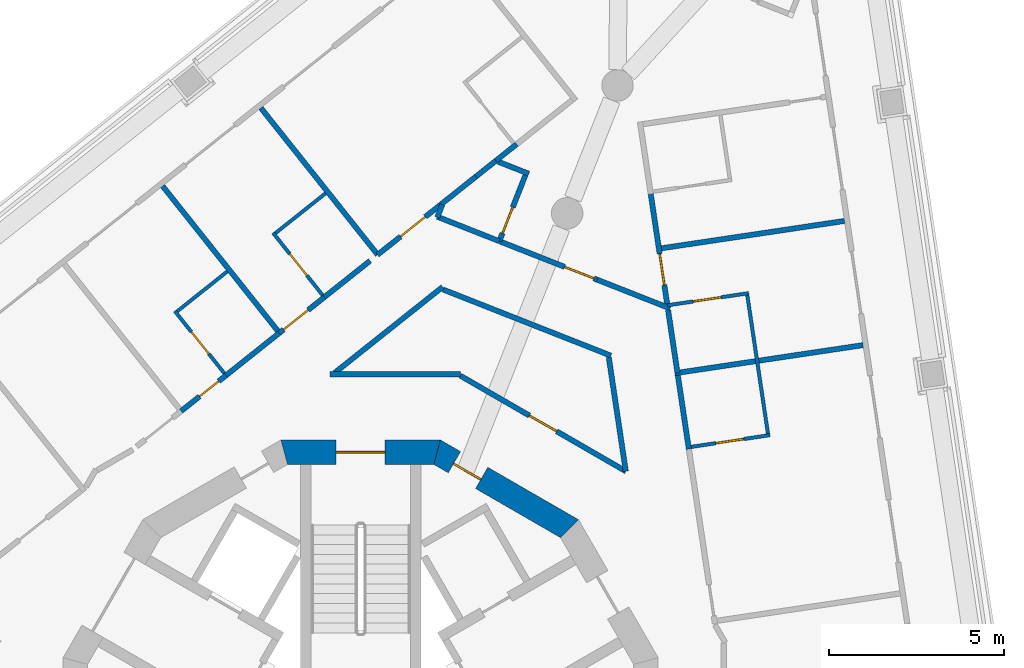
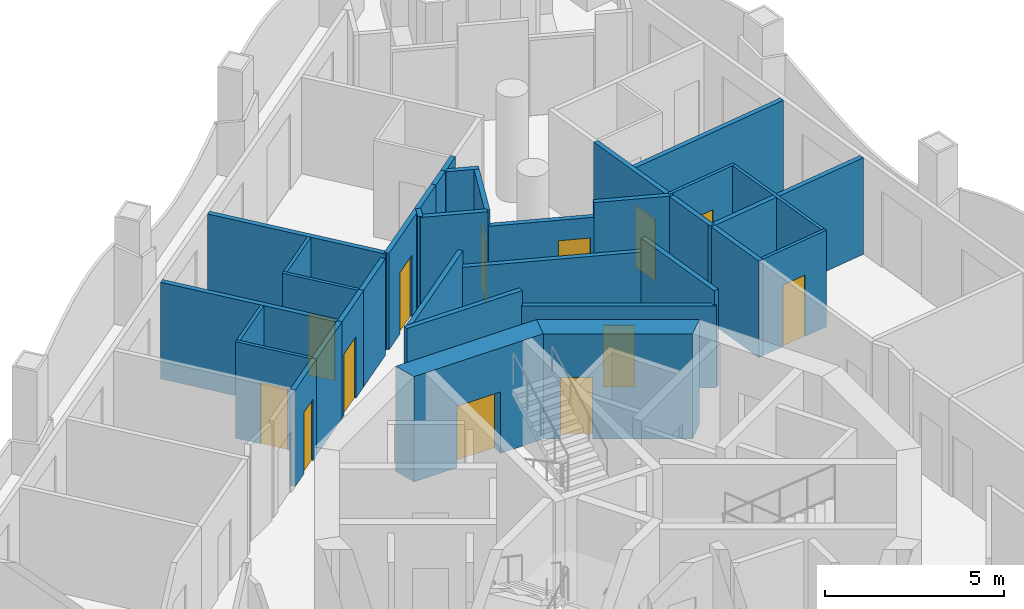
# One storey, part 8 of 16: 34 walls, 13 doors, 13 openings.
"""IFC4 building model written with IfcOpenShell, lengths in metres."""

from ifc_helpers import new_model, si_unit, direction, frame, frame_2d, origin, place, context, subcontext, project, spatial, polyline, rectangle, outline, extrude, material, layer, layer_set, type_object, element, fill, save


model = new_model("IFC4")

# Units and contexts
model_context = context("Model", 3, precision=1e-05, world=origin(), true_north=direction((0.0, 1.0)))
body_context = subcontext(model_context, "Body", "Model", "MODEL_VIEW")
ifc_project = project(units=[si_unit("LENGTHUNIT", "METRE"), si_unit("AREAUNIT", "SQUARE_METRE"), si_unit("VOLUMEUNIT", "CUBIC_METRE"), si_unit("PLANEANGLEUNIT", "RADIAN"), si_unit("MASSUNIT", "GRAM", prefix="KILO")], contexts=[model_context])

# Site, building, storey
site_placement = place(None, origin())
site = spatial("IfcSite", under=ifc_project, at=site_placement, CompositionType="ELEMENT")
building_placement = place(site_placement, origin())
building = spatial("IfcBuilding", under=site, at=building_placement, Name="Trine Commons Tower", CompositionType="ELEMENT")
storey_placement = place(building_placement, frame((0.0, 0.0, 201.60009765625)))
storey = spatial("IfcBuildingStorey", under=building, at=storey_placement, Name="L52", CompositionType="ELEMENT", Elevation=201.60009765625)

# Wall, opening, door
ifc_material_1 = material(Name="Concrete C60/75", Category="concrete")
ifc_layer_1 = layer(ifc_material_1, 0.699951171875)
ifc_layer_set_1 = layer_set([ifc_layer_1], Name="Concrete C60/75")
wall_type_1 = type_object("IfcWallType", Name="RC shear wall 700 mm, C60/75", PredefinedType="SHEAR", material=ifc_layer_set_1)
wall_1_placement = place(storey_placement, frame((86.047607421875, 68.41943359375, 0.0), z_axis=(0.0, 0.0, 1.0), x_axis=(-0.866034756103, 0.499983800959, 0.0)))
wall_1 = element("IfcWall", 1, at=wall_1_placement, inside=storey, type_object=wall_type_1, Name="Core wall CWF-03 L52", PredefinedType="SHEAR", context=body_context, shape_type="SweptSolid", body=[
    extrude(outline(polyline([(0.0, -0.35009765625), (4.55517578125, -0.35009765625), (4.36767578125, 0.35009765625), (0.1875, 0.35009765625), (0.0, -0.35009765625)])), origin(), (0.0, 0.0, 1.0), 3.599853515625),
])
opening_1_placement = place(wall_1_placement, frame((2.990966796875, 0.0, 0.0)))
opening_1 = element("IfcOpeningElement", 2, at=opening_1_placement, cuts=wall_1, Name="Opening K16.12", PredefinedType="OPENING", context=body_context, shape_type="SweptSolid", body=[
    extrude(rectangle(XDim=0.89990234375, YDim=2.10009765625, at=frame_2d((0.449951171875, 1.050048828125))), frame((0.0, 0.35986328125, 0.0), z_axis=(0.0, -1.0, 0.0), x_axis=(1.0, 0.0, 0.0)), (0.0, 0.0, 1.0), 0.719970703125),
])
ifc_material_2 = material(Name="Steel door leaf, fire-rated", Category="steel")
door_type_1 = type_object("IfcDoorType", Name="Core room door, single leaf 900 x 2100, FD30S", OperationType="SINGLE_SWING_LEFT", PredefinedType="DOOR", material=ifc_material_2)
door_1_placement = place(opening_1_placement, origin())
door_1 = element("IfcDoor", 3, at=door_1_placement, inside=storey, type_object=door_type_1, Name="Door to Core WC L52", OperationType="SINGLE_SWING_RIGHT", OverallHeight=2.10009765625, OverallWidth=0.89990234375, PredefinedType="DOOR", context=body_context, shape_type="SweptSolid", body=[
    extrude(rectangle(XDim=0.89990234375, YDim=2.10009765625, at=frame_2d((0.449951171875, 1.050048828125))), frame((0.0, 0.0751953125, 0.0), z_axis=(0.0, -1.0, 0.0), x_axis=(1.0, 0.0, 0.0)), (0.0, 0.0, 1.0), 0.050048828125),
])
fill(opening_1, door_1)

wall_2_placement = place(storey_placement, frame((82.277587890625, 70.650146484375, 0.0), z_axis=(0.0, 0.0, 1.0), x_axis=(-1.0, 0.0, 0.0)))
wall_2 = element("IfcWall", 4, at=wall_2_placement, inside=storey, type_object=wall_type_1, Name="Core wall CWF-04 L52", PredefinedType="SHEAR", context=body_context, shape_type="SweptSolid", body=[
    extrude(outline(polyline([(0.0, -0.35009765625), (4.55517578125, -0.35009765625), (4.36767578125, 0.35009765625), (0.1875, 0.35009765625), (0.0, -0.35009765625)])), origin(), (0.0, 0.0, 1.0), 3.599853515625),
])
opening_2_placement = place(wall_2_placement, frame((1.57763671875, 0.0, 0.0)))
opening_2 = element("IfcOpeningElement", 5, at=opening_2_placement, cuts=wall_2, Name="Opening K16.01", PredefinedType="OPENING", context=body_context, shape_type="SweptSolid", body=[
    extrude(rectangle(XDim=1.39990234375, YDim=2.10009765625, at=frame_2d((0.699951171875, 1.050048828125))), frame((0.0, 0.35986328125, 0.0), z_axis=(0.0, -1.0, 0.0), x_axis=(1.0, 0.0, 0.0)), (0.0, 0.0, 1.0), 0.719970703125),
])
ifc_material_3 = material(Name="Steel door leaves, fire-rated", Category="steel")
door_type_2 = type_object("IfcDoorType", Name="Stair door, double leaf 1400 x 2100, FD90", OperationType="DOUBLE_DOOR_SINGLE_SWING", PredefinedType="DOOR", material=ifc_material_3)
door_2_placement = place(opening_2_placement, origin())
door_2 = element("IfcDoor", 6, at=door_2_placement, inside=storey, type_object=door_type_2, Name="Stair door to Exit stair ST1C L52", OperationType="DOUBLE_DOOR_SINGLE_SWING", OverallHeight=2.10009765625, OverallWidth=1.39990234375, PredefinedType="DOOR", context=body_context, shape_type="SweptSolid", body=[
    extrude(rectangle(XDim=1.39990234375, YDim=2.10009765625, at=frame_2d((0.699951171875, 1.050048828125))), frame((0.0, 0.02490234375, 0.0), z_axis=(0.0, -1.0, 0.0), x_axis=(1.0, 0.0, 0.0)), (0.0, 0.0, 1.0), 0.050048828125),
])
fill(opening_2, door_2)

# Wall
ifc_material_4 = material(Name="Gypsum plasterboard on steel stud", Category="steel")
ifc_layer_2 = layer(ifc_material_4, 0.14990234375)
ifc_layer_set_2 = layer_set([ifc_layer_2], Name="Gypsum plasterboard on steel stud")
wall_type_2 = type_object("IfcWallType", Name="Unit and corridor wall 150 mm, EI 60", PredefinedType="PARTITIONING", material=ifc_layer_set_2)
wall_3_placement = place(storey_placement, frame((74.343017578125, 78.252685546875, 0.0), z_axis=(0.0, 0.0, 1.0), x_axis=(0.622444463897, -0.782663969634, 0.0)))
element("IfcWall", 7, at=wall_3_placement, inside=storey, type_object=wall_type_2, Name="Partition 042", PredefinedType="PARTITIONING", context=body_context, shape_type="SweptSolid", body=[
    extrude(rectangle(XDim=5.284423828125, YDim=0.14990234375, at=frame_2d((2.64208984375, 0.0))), origin(), (0.0, 0.0, 1.0), 3.2998046875),
])

# Wall, opening, door
wall_4_placement = place(storey_placement, frame((74.8701171875, 71.823974609375, 0.0), z_axis=(0.0, 0.0, 1.0), x_axis=(0.782865951336, 0.622190406739, 0.0)))
wall_4 = element("IfcWall", 8, at=wall_4_placement, inside=storey, type_object=wall_type_2, Name="Partition 045", PredefinedType="PARTITIONING", context=body_context, shape_type="SweptSolid", body=[
    extrude(rectangle(XDim=1.642578125, YDim=0.14990234375, at=frame_2d((0.8212890625, 0.0))), origin(), (0.0, 0.0, 1.0), 3.2998046875),
])
opening_3_placement = place(wall_4_placement, frame((0.671142578125, 0.0, 0.0)))
opening_3 = element("IfcOpeningElement", 9, at=opening_3_placement, cuts=wall_4, Name="Opening D-6A10", PredefinedType="OPENING", context=body_context, shape_type="SweptSolid", body=[
    extrude(rectangle(XDim=0.699951171875, YDim=2.10009765625, at=frame_2d((0.35009765625, 1.050048828125))), frame((0.0, 0.0849609375, 0.0), z_axis=(0.0, -1.0, 0.0), x_axis=(1.0, 0.0, 0.0)), (0.0, 0.0, 1.0), 0.169921875),
])
ifc_material_5 = material(Name="Timber fire door set", Category="wood")
door_type_3 = type_object("IfcDoorType", Name="Bedroom door 700 x 2100, FD30S", OperationType="NOTDEFINED", PredefinedType="DOOR", material=ifc_material_5)
door_3_placement = place(opening_3_placement, origin())
door_3 = element("IfcDoor", 10, at=door_3_placement, inside=storey, type_object=door_type_3, Name="Door D-6A10", OperationType="SINGLE_SWING_RIGHT", OverallHeight=2.10009765625, OverallWidth=0.699951171875, PredefinedType="DOOR", context=body_context, shape_type="SweptSolid", body=[
    extrude(rectangle(XDim=0.699951171875, YDim=2.10009765625, at=frame_2d((0.35009765625, 1.050048828125))), frame((0.0, 0.02490234375, 0.0), z_axis=(0.0, -1.0, 0.0), x_axis=(1.0, 0.0, 0.0)), (0.0, 0.0, 1.0), 0.050048828125),
])
fill(opening_3, door_3)

# Walls
wall_5_placement = place(storey_placement, frame((76.11083984375, 72.810791015625, 0.0), z_axis=(0.0, 0.0, 1.0), x_axis=(0.782704744495, 0.622393189989, 0.0)))
element("IfcWall", 11, at=wall_5_placement, inside=storey, type_object=wall_type_2, Name="Partition 048", PredefinedType="PARTITIONING", context=body_context, shape_type="SweptSolid", body=[
    extrude(rectangle(XDim=2.007080078125, YDim=0.14990234375, at=frame_2d((1.00341796875, 0.0))), origin(), (0.0, 0.0, 1.0), 3.2998046875),
])
wall_6_placement = place(storey_placement, frame((77.14892578125, 80.485595703125, 0.0), z_axis=(0.0, 0.0, 1.0), x_axis=(0.622587598128, -0.782550115109, 0.0)))
element("IfcWall", 12, at=wall_6_placement, inside=storey, type_object=wall_type_2, Name="Partition 049", PredefinedType="PARTITIONING", context=body_context, shape_type="SweptSolid", body=[
    extrude(rectangle(XDim=5.360107421875, YDim=0.14990234375, at=frame_2d((2.68017578125, 0.0))), origin(), (0.0, 0.0, 1.0), 3.2998046875),
])

# Wall, opening, door
wall_7_placement = place(storey_placement, frame((77.676025390625, 74.055908203125, 0.0), z_axis=(0.0, 0.0, 1.0), x_axis=(0.782734219596, 0.622356121102, 0.0)))
wall_7 = element("IfcWall", 13, at=wall_7_placement, inside=storey, type_object=wall_type_2, Name="Partition 053", PredefinedType="PARTITIONING", context=body_context, shape_type="SweptSolid", body=[
    extrude(rectangle(XDim=1.64404296875, YDim=0.14990234375, at=frame_2d((0.822021484375, 0.0))), origin(), (0.0, 0.0, 1.0), 3.2998046875),
])
opening_4_placement = place(wall_7_placement, frame((0.153564453125, 0.0, 0.0)))
opening_4 = element("IfcOpeningElement", 14, at=opening_4_placement, cuts=wall_7, Name="Opening D-6A11", PredefinedType="OPENING", context=body_context, shape_type="SweptSolid", body=[
    extrude(rectangle(XDim=0.89990234375, YDim=2.10009765625, at=frame_2d((0.449951171875, 1.050048828125))), frame((0.0, 0.0849609375, 0.0), z_axis=(0.0, -1.0, 0.0), x_axis=(1.0, 0.0, 0.0)), (0.0, 0.0, 1.0), 0.169921875),
])
door_type_4 = type_object("IfcDoorType", Name="Bedroom door 900 x 2100, FD30S", OperationType="NOTDEFINED", PredefinedType="DOOR", material=ifc_material_5)
door_4_placement = place(opening_4_placement, origin())
door_4 = element("IfcDoor", 15, at=door_4_placement, inside=storey, type_object=door_type_4, Name="Door D-6A11", OperationType="SINGLE_SWING_LEFT", OverallHeight=2.10009765625, OverallWidth=0.89990234375, PredefinedType="DOOR", context=body_context, shape_type="SweptSolid", body=[
    extrude(rectangle(XDim=0.89990234375, YDim=2.10009765625, at=frame_2d((0.449951171875, 1.050048828125))), frame((0.0, 0.02490234375, 0.0), z_axis=(0.0, -1.0, 0.0), x_axis=(1.0, 0.0, 0.0)), (0.0, 0.0, 1.0), 0.050048828125),
])
fill(opening_4, door_4)

# Walls
wall_8_placement = place(storey_placement, frame((78.95703125, 75.074951171875, 0.0), z_axis=(0.0, 0.0, 1.0), x_axis=(0.782797783459, 0.622276168764, 0.0)))
element("IfcWall", 16, at=wall_8_placement, inside=storey, type_object=wall_type_2, Name="Partition 055", PredefinedType="PARTITIONING", context=body_context, shape_type="SweptSolid", body=[
    extrude(rectangle(XDim=1.676025390625, YDim=0.14990234375, at=frame_2d((0.837890625, 0.0))), origin(), (0.0, 0.0, 1.0), 3.2998046875),
])
wall_9_placement = place(storey_placement, frame((79.125, 72.875, 0.0), z_axis=(0.0, 0.0, 1.0), x_axis=(1.0, 0.0, 0.0)))
element("IfcWall", 17, at=wall_9_placement, inside=storey, type_object=wall_type_2, Name="Partition 056", PredefinedType="PARTITIONING", context=body_context, shape_type="SweptSolid", body=[
    extrude(rectangle(XDim=3.72998046875, YDim=0.14990234375, at=frame_2d((1.864990234375, 0.0))), origin(), (0.0, 0.0, 1.0), 3.2998046875),
])
wall_10_placement = place(storey_placement, frame((79.2626953125, 72.921630859375, 0.0), z_axis=(0.0, 0.0, 1.0), x_axis=(0.782518607784, 0.622627198629, 0.0)))
element("IfcWall", 18, at=wall_10_placement, inside=storey, type_object=wall_type_2, Name="Partition 057", PredefinedType="PARTITIONING", context=body_context, shape_type="SweptSolid", body=[
    extrude(rectangle(XDim=3.934814453125, YDim=0.14990234375, at=frame_2d((1.96728515625, 0.0))), origin(), (0.0, 0.0, 1.0), 3.2998046875),
])

# Wall, opening, door
wall_11_placement = place(storey_placement, frame((80.48291015625, 76.2890625, 0.0), z_axis=(0.0, 0.0, 1.0), x_axis=(0.782683898342, 0.622419404643, 0.0)))
wall_11 = element("IfcWall", 19, at=wall_11_placement, inside=storey, type_object=wall_type_2, Name="Partition 058", PredefinedType="PARTITIONING", context=body_context, shape_type="SweptSolid", body=[
    extrude(rectangle(XDim=3.589111328125, YDim=0.14990234375, at=frame_2d((1.79443359375, 0.0))), origin(), (0.0, 0.0, 1.0), 3.2998046875),
])
opening_5_placement = place(wall_11_placement, frame((0.841064453125, 0.0, 0.0)))
opening_5 = element("IfcOpeningElement", 20, at=opening_5_placement, cuts=wall_11, Name="Opening D-6A12", PredefinedType="OPENING", context=body_context, shape_type="SweptSolid", body=[
    extrude(rectangle(XDim=0.89990234375, YDim=2.10009765625, at=frame_2d((0.449951171875, 1.050048828125))), frame((0.0, 0.0849609375, 0.0), z_axis=(0.0, -1.0, 0.0), x_axis=(1.0, 0.0, 0.0)), (0.0, 0.0, 1.0), 0.169921875),
])
door_5_placement = place(opening_5_placement, origin())
door_5 = element("IfcDoor", 21, at=door_5_placement, inside=storey, type_object=door_type_4, Name="Door D-6A12", OperationType="SINGLE_SWING_LEFT", OverallHeight=2.10009765625, OverallWidth=0.89990234375, PredefinedType="DOOR", context=body_context, shape_type="SweptSolid", body=[
    extrude(rectangle(XDim=0.89990234375, YDim=2.10009765625, at=frame_2d((0.449951171875, 1.050048828125))), frame((0.0, 0.02490234375, 0.0), z_axis=(0.0, -1.0, 0.0), x_axis=(1.0, 0.0, 0.0)), (0.0, 0.0, 1.0), 0.050048828125),
])
fill(opening_5, door_5)

# Walls
wall_12_placement = place(storey_placement, frame((82.19189453125, 77.3759765625, 0.0), z_axis=(0.0, 0.0, 1.0), x_axis=(0.93022308185, -0.366994574882, 0.0)))
element("IfcWall", 22, at=wall_12_placement, inside=storey, type_object=wall_type_2, Name="Partition 061", PredefinedType="PARTITIONING", context=body_context, shape_type="SweptSolid", body=[
    extrude(rectangle(XDim=1.9072265625, YDim=0.14990234375, at=frame_2d((0.95361328125, 0.0))), origin(), (0.0, 0.0, 1.0), 3.2998046875),
])
wall_13_placement = place(storey_placement, frame((82.188232421875, 77.3544921875, 0.0), z_axis=(0.0, 0.0, 1.0), x_axis=(0.365066779339, 0.930981335271, 0.0)))
element("IfcWall", 23, at=wall_13_placement, inside=storey, type_object=wall_type_2, Name="Partition 062", PredefinedType="PARTITIONING", context=body_context, shape_type="SweptSolid", body=[
    extrude(rectangle(XDim=0.39990234375, YDim=0.14990234375, at=frame_2d((0.199951171875, 0.0))), origin(), (0.0, 0.0, 1.0), 3.2998046875),
])
wall_14_placement = place(storey_placement, frame((82.352783203125, 75.297607421875, 0.0), z_axis=(0.0, 0.0, 1.0), x_axis=(0.930366278921, -0.366631404883, 0.0)))
element("IfcWall", 24, at=wall_14_placement, inside=storey, type_object=wall_type_2, Name="Partition 063", PredefinedType="PARTITIONING", context=body_context, shape_type="SweptSolid", body=[
    extrude(rectangle(XDim=5.15283203125, YDim=0.14990234375, at=frame_2d((2.576416015625, 0.0))), origin(), (0.0, 0.0, 1.0), 2.7998046875),
])

# Wall, opening, door
wall_15_placement = place(storey_placement, frame((82.844970703125, 72.83740234375, 0.0), z_axis=(0.0, 0.0, 1.0), x_axis=(0.865990633405, -0.500060219228, 0.0)))
wall_15 = element("IfcWall", 25, at=wall_15_placement, inside=storey, type_object=wall_type_2, Name="Partition 066", PredefinedType="PARTITIONING", context=body_context, shape_type="SweptSolid", body=[
    extrude(rectangle(XDim=5.464111328125, YDim=0.14990234375, at=frame_2d((2.73193359375, 0.0))), origin(), (0.0, 0.0, 1.0), 2.7998046875),
])
opening_6_placement = place(wall_15_placement, frame((2.280517578125, 0.0, 0.0)))
opening_6 = element("IfcOpeningElement", 26, at=opening_6_placement, cuts=wall_15, Name="Opening D-6A27", PredefinedType="OPENING", context=body_context, shape_type="SweptSolid", body=[
    extrude(rectangle(XDim=0.89990234375, YDim=2.10009765625, at=frame_2d((0.449951171875, 1.050048828125))), frame((0.0, 0.0849609375, 0.0), z_axis=(0.0, -1.0, 0.0), x_axis=(1.0, 0.0, 0.0)), (0.0, 0.0, 1.0), 0.169921875),
])
door_type_5 = type_object("IfcDoorType", Name="Service door 900 x 2100, FD30S", OperationType="NOTDEFINED", PredefinedType="DOOR", material=ifc_material_5)
door_6_placement = place(opening_6_placement, origin())
door_6 = element("IfcDoor", 27, at=door_6_placement, inside=storey, type_object=door_type_5, Name="Door D-6A27", OperationType="SINGLE_SWING_LEFT", OverallHeight=2.10009765625, OverallWidth=0.89990234375, PredefinedType="DOOR", context=body_context, shape_type="SweptSolid", body=[
    extrude(rectangle(XDim=0.89990234375, YDim=2.10009765625, at=frame_2d((0.449951171875, 1.050048828125))), frame((0.0, 0.02490234375, 0.0), z_axis=(0.0, -1.0, 0.0), x_axis=(1.0, 0.0, 0.0)), (0.0, 0.0, 1.0), 0.050048828125),
])
fill(opening_6, door_6)

# Walls
wall_16_placement = place(storey_placement, frame((83.2919921875, 78.52294921875, 0.0), z_axis=(0.0, 0.0, 1.0), x_axis=(0.782961678727, 0.622069939512, 0.0)))
element("IfcWall", 28, at=wall_16_placement, inside=storey, type_object=wall_type_2, Name="Partition 071", PredefinedType="PARTITIONING", context=body_context, shape_type="SweptSolid", body=[
    extrude(rectangle(XDim=0.726806640625, YDim=0.14990234375, at=frame_2d((0.36328125, 0.0))), origin(), (0.0, 0.0, 1.0), 3.2998046875),
])
wall_17_placement = place(storey_placement, frame((83.861083984375, 78.97509765625, 0.0), z_axis=(0.0, 0.0, 1.0), x_axis=(0.782427401713, 0.622741809298, 0.0)))
element("IfcWall", 29, at=wall_17_placement, inside=storey, type_object=wall_type_2, Name="Partition 074", PredefinedType="PARTITIONING", context=body_context, shape_type="SweptSolid", body=[
    extrude(rectangle(XDim=0.762939453125, YDim=0.14990234375, at=frame_2d((0.38134765625, 0.0))), origin(), (0.0, 0.0, 1.0), 3.2998046875),
])
wall_18_placement = place(storey_placement, frame((83.930908203125, 78.947509765625, 0.0), z_axis=(0.0, 0.0, 1.0), x_axis=(0.930564496223, -0.366128008175, 0.0)))
element("IfcWall", 30, at=wall_18_placement, inside=storey, type_object=wall_type_2, Name="Partition 075", PredefinedType="PARTITIONING", context=body_context, shape_type="SweptSolid", body=[
    extrude(rectangle(XDim=0.936767578125, YDim=0.14990234375, at=frame_2d((0.46826171875, 0.0))), origin(), (0.0, 0.0, 1.0), 3.2998046875),
])

# Wall, opening, door
wall_19_placement = place(storey_placement, frame((83.962890625, 76.677978515625, 0.0), z_axis=(0.0, 0.0, 1.0), x_axis=(0.366688940458, 0.9303436037, 0.0)))
wall_19 = element("IfcWall", 31, at=wall_19_placement, inside=storey, type_object=wall_type_2, Name="Partition 076", PredefinedType="PARTITIONING", context=body_context, shape_type="SweptSolid", body=[
    extrude(rectangle(XDim=2.025390625, YDim=0.14990234375, at=frame_2d((1.0126953125, 0.0))), origin(), (0.0, 0.0, 1.0), 3.2998046875),
])
opening_7_placement = place(wall_19_placement, frame((0.24267578125, 0.0, 0.0)))
opening_7 = element("IfcOpeningElement", 32, at=opening_7_placement, cuts=wall_19, Name="Opening D-6A04", PredefinedType="OPENING", context=body_context, shape_type="SweptSolid", body=[
    extrude(rectangle(XDim=0.800048828125, YDim=2.10009765625, at=frame_2d((0.39990234375, 1.050048828125))), frame((0.0, 0.0849609375, 0.0), z_axis=(0.0, -1.0, 0.0), x_axis=(1.0, 0.0, 0.0)), (0.0, 0.0, 1.0), 0.169921875),
])
ifc_material_6 = material(Name="Painted timber", Category="wood")
door_type_6 = type_object("IfcDoorType", Name="Toilet door 800 x 2100, NOT RATED", OperationType="NOTDEFINED", PredefinedType="DOOR", material=ifc_material_6)
door_7_placement = place(opening_7_placement, origin())
door_7 = element("IfcDoor", 33, at=door_7_placement, inside=storey, type_object=door_type_6, Name="Door D-6A04", OperationType="SINGLE_SWING_LEFT", OverallHeight=2.10009765625, OverallWidth=0.800048828125, PredefinedType="DOOR", context=body_context, shape_type="SweptSolid", body=[
    extrude(rectangle(XDim=0.800048828125, YDim=2.10009765625, at=frame_2d((0.39990234375, 1.050048828125))), frame((0.0, 0.02490234375, 0.0), z_axis=(0.0, -1.0, 0.0), x_axis=(1.0, 0.0, 0.0)), (0.0, 0.0, 1.0), 0.050048828125),
])
fill(opening_7, door_7)

wall_20_placement = place(storey_placement, frame((83.97705078125, 76.672119140625, 0.0), z_axis=(0.0, 0.0, 1.0), x_axis=(0.930513911047, -0.36625655127, 0.0)))
wall_20 = element("IfcWall", 34, at=wall_20_placement, inside=storey, type_object=wall_type_2, Name="Partition 077", PredefinedType="PARTITIONING", context=body_context, shape_type="SweptSolid", body=[
    extrude(rectangle(XDim=2.987548828125, YDim=0.14990234375, at=frame_2d((1.49365234375, 0.0))), origin(), (0.0, 0.0, 1.0), 2.7998046875),
])
opening_8_placement = place(wall_20_placement, frame((1.987548828125, 0.0, 0.0)))
opening_8 = element("IfcOpeningElement", 35, at=opening_8_placement, cuts=wall_20, Name="Opening D-6A01", PredefinedType="OPENING", context=body_context, shape_type="SweptSolid", body=[
    extrude(rectangle(XDim=0.89990234375, YDim=2.10009765625, at=frame_2d((0.449951171875, 1.050048828125))), frame((0.0, 0.0849609375, 0.0), z_axis=(0.0, -1.0, 0.0), x_axis=(1.0, 0.0, 0.0)), (0.0, 0.0, 1.0), 0.169921875),
])
door_type_7 = type_object("IfcDoorType", Name="Cluster entrance door 900 x 2100, FD30S", OperationType="NOTDEFINED", PredefinedType="DOOR", material=ifc_material_5)
door_8_placement = place(opening_8_placement, origin())
door_8 = element("IfcDoor", 36, at=door_8_placement, inside=storey, type_object=door_type_7, Name="Door D-6A01", OperationType="SINGLE_SWING_RIGHT", OverallHeight=2.10009765625, OverallWidth=0.89990234375, PredefinedType="DOOR", context=body_context, shape_type="SweptSolid", body=[
    extrude(rectangle(XDim=0.89990234375, YDim=2.10009765625, at=frame_2d((0.449951171875, 1.050048828125))), frame((0.0, 0.02490234375, 0.0), z_axis=(0.0, -1.0, 0.0), x_axis=(1.0, 0.0, 0.0)), (0.0, 0.0, 1.0), 0.050048828125),
])
fill(opening_8, door_8)

# Walls
wall_21_placement = place(storey_placement, frame((86.757080078125, 75.577880859375, 0.0), z_axis=(0.0, 0.0, 1.0), x_axis=(0.930344172236, -0.366687497997, 0.0)))
element("IfcWall", 37, at=wall_21_placement, inside=storey, type_object=wall_type_2, Name="Partition 084", PredefinedType="PARTITIONING", context=body_context, shape_type="SweptSolid", body=[
    extrude(rectangle(XDim=2.23974609375, YDim=0.14990234375, at=frame_2d((1.119873046875, 0.0))), origin(), (0.0, 0.0, 1.0), 3.2998046875),
])
wall_22_placement = place(storey_placement, frame((87.088134765625, 73.36181640625, 0.0), z_axis=(0.0, 0.0, 1.0), x_axis=(0.147629393442, -0.989042750437, 0.0)))
element("IfcWall", 38, at=wall_22_placement, inside=storey, type_object=wall_type_2, Name="Partition 085", PredefinedType="PARTITIONING", context=body_context, shape_type="SweptSolid", body=[
    extrude(rectangle(XDim=3.291015625, YDim=0.14990234375, at=frame_2d((1.6455078125, 0.0))), origin(), (0.0, 0.0, 1.0), 3.2998046875),
])

# Wall, opening, door
wall_23_placement = place(storey_placement, frame((88.278076171875, 78.0859375, 0.0), z_axis=(0.0, 0.0, 1.0), x_axis=(0.147535964678, -0.989056691563, 0.0)))
wall_23 = element("IfcWall", 39, at=wall_23_placement, inside=storey, type_object=wall_type_2, Name="Partition 091", PredefinedType="PARTITIONING", context=body_context, shape_type="SweptSolid", body=[
    extrude(rectangle(XDim=3.27978515625, YDim=0.14990234375, at=frame_2d((1.639892578125, 0.0))), origin(), (0.0, 0.0, 1.0), 3.2998046875),
])
opening_9_placement = place(wall_23_placement, frame((1.789794921875, 0.0, 0.0)))
opening_9 = element("IfcOpeningElement", 40, at=opening_9_placement, cuts=wall_23, Name="Opening D-6A14", PredefinedType="OPENING", context=body_context, shape_type="SweptSolid", body=[
    extrude(rectangle(XDim=0.89990234375, YDim=2.10009765625, at=frame_2d((0.449951171875, 1.050048828125))), frame((0.0, 0.0849609375, 0.0), z_axis=(0.0, -1.0, 0.0), x_axis=(1.0, 0.0, 0.0)), (0.0, 0.0, 1.0), 0.169921875),
])
door_9_placement = place(opening_9_placement, origin())
door_9 = element("IfcDoor", 41, at=door_9_placement, inside=storey, type_object=door_type_4, Name="Door D-6A14", OperationType="SINGLE_SWING_RIGHT", OverallHeight=2.10009765625, OverallWidth=0.89990234375, PredefinedType="DOOR", context=body_context, shape_type="SweptSolid", body=[
    extrude(rectangle(XDim=0.89990234375, YDim=2.10009765625, at=frame_2d((0.449951171875, 1.050048828125))), frame((0.0, 0.02490234375, 0.0), z_axis=(0.0, -1.0, 0.0), x_axis=(1.0, 0.0, 0.0)), (0.0, 0.0, 1.0), 0.050048828125),
])
fill(opening_9, door_9)

# Walls
wall_24_placement = place(storey_placement, frame((88.59423828125, 76.47509765625, 0.0), z_axis=(0.0, 0.0, 1.0), x_axis=(0.989020900083, 0.147775705715, 0.0)))
element("IfcWall", 42, at=wall_24_placement, inside=storey, type_object=wall_type_2, Name="Partition 094", PredefinedType="PARTITIONING", context=body_context, shape_type="SweptSolid", body=[
    extrude(rectangle(XDim=5.28515625, YDim=0.14990234375, at=frame_2d((2.642578125, 0.0))), origin(), (0.0, 0.0, 1.0), 3.2998046875),
])
wall_25_placement = place(storey_placement, frame((88.781982421875, 74.709716796875, 0.0), z_axis=(0.0, 0.0, 1.0), x_axis=(0.148097298626, -0.98897279545, 0.0)))
element("IfcWall", 43, at=wall_25_placement, inside=storey, type_object=wall_type_2, Name="Partition 096", PredefinedType="PARTITIONING", context=body_context, shape_type="SweptSolid", body=[
    extrude(rectangle(XDim=1.816650390625, YDim=0.14990234375, at=frame_2d((0.908203125, 0.0))), origin(), (0.0, 0.0, 1.0), 3.2998046875),
])
wall_26_placement = place(storey_placement, frame((88.975830078125, 72.906005859375, 0.0), z_axis=(0.0, 0.0, 1.0), x_axis=(0.989026447028, 0.147738576813, 0.0)))
element("IfcWall", 44, at=wall_26_placement, inside=storey, type_object=wall_type_2, Name="Partition 097", PredefinedType="PARTITIONING", context=body_context, shape_type="SweptSolid", body=[
    extrude(rectangle(XDim=5.43505859375, YDim=0.14990234375, at=frame_2d((2.717529296875, 0.0))), origin(), (0.0, 0.0, 1.0), 3.2998046875),
])
wall_27_placement = place(storey_placement, frame((89.06103515625, 72.8466796875, 0.0), z_axis=(0.0, 0.0, 1.0), x_axis=(0.147461434702, -0.989067806207, 0.0)))
element("IfcWall", 45, at=wall_27_placement, inside=storey, type_object=wall_type_2, Name="Partition 098", PredefinedType="PARTITIONING", context=body_context, shape_type="SweptSolid", body=[
    extrude(rectangle(XDim=2.13232421875, YDim=0.14990234375, at=frame_2d((1.066162109375, 0.0))), origin(), (0.0, 0.0, 1.0), 3.2998046875),
])

# Wall, opening, door
ifc_layer_3 = layer(ifc_material_4, 0.10009765625)
ifc_layer_set_3 = layer_set([ifc_layer_3], Name="Gypsum plasterboard on steel stud")
wall_type_3 = type_object("IfcWallType", Name="Unit partition 100 mm, no rating", PredefinedType="PARTITIONING", material=ifc_layer_set_3)
wall_28_placement = place(storey_placement, frame((74.68994140625, 74.68310546875, 0.0), z_axis=(0.0, 0.0, 1.0), x_axis=(0.622507134747, -0.782614124067, 0.0)))
wall_28 = element("IfcWall", 46, at=wall_28_placement, inside=storey, type_object=wall_type_3, Name="Partition 043", PredefinedType="PARTITIONING", context=body_context, shape_type="SweptSolid", body=[
    extrude(rectangle(XDim=2.275146484375, YDim=0.10009765625, at=frame_2d((1.1376953125, 0.0))), origin(), (0.0, 0.0, 1.0), 3.2998046875),
])
opening_10_placement = place(wall_28_placement, frame((0.7626953125, 0.0, 0.0)))
opening_10 = element("IfcOpeningElement", 47, at=opening_10_placement, cuts=wall_28, Name="Opening D-6A31", PredefinedType="OPENING", context=body_context, shape_type="SweptSolid", body=[
    extrude(rectangle(XDim=0.800048828125, YDim=2.10009765625, at=frame_2d((0.39990234375, 1.050048828125))), frame((0.0, 0.06005859375, 0.0), z_axis=(0.0, -1.0, 0.0), x_axis=(1.0, 0.0, 0.0)), (0.0, 0.0, 1.0), 0.1201171875),
])
door_type_8 = type_object("IfcDoorType", Name="Internal door 800 x 2100, NOT RATED", OperationType="NOTDEFINED", PredefinedType="DOOR", material=ifc_material_6)
door_10_placement = place(opening_10_placement, frame((0.800048828125, 0.0, 0.0), z_axis=(0.0, 0.0, 1.0), x_axis=(-1.0, 0.0, 0.0)))
door_10 = element("IfcDoor", 48, at=door_10_placement, inside=storey, type_object=door_type_8, Name="Door D-6A31", OperationType="SINGLE_SWING_LEFT", OverallHeight=2.10009765625, OverallWidth=0.800048828125, PredefinedType="DOOR", context=body_context, shape_type="SweptSolid", body=[
    extrude(rectangle(XDim=0.800048828125, YDim=2.10009765625, at=frame_2d((0.39990234375, 1.050048828125))), frame((0.0, 0.02490234375, 0.0), z_axis=(0.0, -1.0, 0.0), x_axis=(1.0, 0.0, 0.0)), (0.0, 0.0, 1.0), 0.050048828125),
])
fill(opening_10, door_10)

# Wall
wall_29_placement = place(storey_placement, frame((74.760009765625, 74.675048828125, 0.0), z_axis=(0.0, 0.0, 1.0), x_axis=(0.782562542096, 0.622571977934, 0.0)))
element("IfcWall", 49, at=wall_29_placement, inside=storey, type_object=wall_type_3, Name="Partition 044", PredefinedType="PARTITIONING", context=body_context, shape_type="SweptSolid", body=[
    extrude(rectangle(XDim=1.824951171875, YDim=0.10009765625, at=frame_2d((0.91259765625, 0.0))), origin(), (0.0, 0.0, 1.0), 3.2998046875),
])

# Wall, opening, door
wall_30_placement = place(storey_placement, frame((77.496826171875, 76.916015625, 0.0), z_axis=(0.0, 0.0, 1.0), x_axis=(0.622625135388, -0.78252024944, 0.0)))
wall_30 = element("IfcWall", 50, at=wall_30_placement, inside=storey, type_object=wall_type_3, Name="Partition 051", PredefinedType="PARTITIONING", context=body_context, shape_type="SweptSolid", body=[
    extrude(rectangle(XDim=2.275146484375, YDim=0.10009765625, at=frame_2d((1.1376953125, 0.0))), origin(), (0.0, 0.0, 1.0), 3.2998046875),
])
opening_11_placement = place(wall_30_placement, frame((0.7626953125, 0.0, 0.0)))
opening_11 = element("IfcOpeningElement", 51, at=opening_11_placement, cuts=wall_30, Name="Opening D-6A32", PredefinedType="OPENING", context=body_context, shape_type="SweptSolid", body=[
    extrude(rectangle(XDim=0.800048828125, YDim=2.10009765625, at=frame_2d((0.39990234375, 1.050048828125))), frame((0.0, 0.06005859375, 0.0), z_axis=(0.0, -1.0, 0.0), x_axis=(1.0, 0.0, 0.0)), (0.0, 0.0, 1.0), 0.1201171875),
])
door_11_placement = place(opening_11_placement, frame((0.800048828125, 0.0, 0.0), z_axis=(0.0, 0.0, 1.0), x_axis=(-1.0, 0.0, 0.0)))
door_11 = element("IfcDoor", 52, at=door_11_placement, inside=storey, type_object=door_type_8, Name="Door D-6A32", OperationType="SINGLE_SWING_LEFT", OverallHeight=2.10009765625, OverallWidth=0.800048828125, PredefinedType="DOOR", context=body_context, shape_type="SweptSolid", body=[
    extrude(rectangle(XDim=0.800048828125, YDim=2.10009765625, at=frame_2d((0.39990234375, 1.050048828125))), frame((0.0, 0.02490234375, 0.0), z_axis=(0.0, -1.0, 0.0), x_axis=(1.0, 0.0, 0.0)), (0.0, 0.0, 1.0), 0.050048828125),
])
fill(opening_11, door_11)

# Wall
wall_31_placement = place(storey_placement, frame((77.567138671875, 76.908203125, 0.0), z_axis=(0.0, 0.0, 1.0), x_axis=(0.782627716851, 0.622490045557, 0.0)))
element("IfcWall", 53, at=wall_31_placement, inside=storey, type_object=wall_type_3, Name="Partition 052", PredefinedType="PARTITIONING", context=body_context, shape_type="SweptSolid", body=[
    extrude(rectangle(XDim=1.824951171875, YDim=0.10009765625, at=frame_2d((0.91259765625, 0.0))), origin(), (0.0, 0.0, 1.0), 3.2998046875),
])

# Wall, opening, door
wall_32_placement = place(storey_placement, frame((88.761962890625, 74.845947265625, 0.0), z_axis=(0.0, 0.0, 1.0), x_axis=(0.989014693812, 0.147817236561, 0.0)))
wall_32 = element("IfcWall", 54, at=wall_32_placement, inside=storey, type_object=wall_type_3, Name="Partition 095", PredefinedType="PARTITIONING", context=body_context, shape_type="SweptSolid", body=[
    extrude(rectangle(XDim=2.350341796875, YDim=0.10009765625, at=frame_2d((1.17529296875, 0.0))), origin(), (0.0, 0.0, 1.0), 3.2998046875),
])
opening_12_placement = place(wall_32_placement, frame((0.75, 0.0, 0.0)))
opening_12 = element("IfcOpeningElement", 55, at=opening_12_placement, cuts=wall_32, Name="Opening D-6A35", PredefinedType="OPENING", context=body_context, shape_type="SweptSolid", body=[
    extrude(rectangle(XDim=0.800048828125, YDim=2.10009765625, at=frame_2d((0.39990234375, 1.050048828125))), frame((0.0, 0.06005859375, 0.0), z_axis=(0.0, -1.0, 0.0), x_axis=(1.0, 0.0, 0.0)), (0.0, 0.0, 1.0), 0.1201171875),
])
door_12_placement = place(opening_12_placement, origin())
door_12 = element("IfcDoor", 56, at=door_12_placement, inside=storey, type_object=door_type_8, Name="Door D-6A35", OperationType="SINGLE_SWING_LEFT", OverallHeight=2.10009765625, OverallWidth=0.800048828125, PredefinedType="DOOR", context=body_context, shape_type="SweptSolid", body=[
    extrude(rectangle(XDim=0.800048828125, YDim=2.10009765625, at=frame_2d((0.39990234375, 1.050048828125))), frame((0.0, 0.02490234375, 0.0), z_axis=(0.0, -1.0, 0.0), x_axis=(1.0, 0.0, 0.0)), (0.0, 0.0, 1.0), 0.050048828125),
])
fill(opening_12, door_12)

wall_33_placement = place(storey_placement, frame((89.442138671875, 70.802001953125, 0.0), z_axis=(0.0, 0.0, 1.0), x_axis=(0.989007860101, 0.147862952286, 0.0)))
wall_33 = element("IfcWall", 57, at=wall_33_placement, inside=storey, type_object=wall_type_3, Name="Partition 102", PredefinedType="PARTITIONING", context=body_context, shape_type="SweptSolid", body=[
    extrude(rectangle(XDim=2.275146484375, YDim=0.10009765625, at=frame_2d((1.1376953125, 0.0))), origin(), (0.0, 0.0, 1.0), 3.2998046875),
])
opening_13_placement = place(wall_33_placement, frame((0.712646484375, 0.0, 0.0)))
opening_13 = element("IfcOpeningElement", 58, at=opening_13_placement, cuts=wall_33, Name="Opening D-6A36", PredefinedType="OPENING", context=body_context, shape_type="SweptSolid", body=[
    extrude(rectangle(XDim=0.800048828125, YDim=2.10009765625, at=frame_2d((0.39990234375, 1.050048828125))), frame((0.0, 0.06005859375, 0.0), z_axis=(0.0, -1.0, 0.0), x_axis=(1.0, 0.0, 0.0)), (0.0, 0.0, 1.0), 0.1201171875),
])
door_13_placement = place(opening_13_placement, frame((0.800048828125, 0.0, 0.0), z_axis=(0.0, 0.0, 1.0), x_axis=(-1.0, 0.0, 0.0)))
door_13 = element("IfcDoor", 59, at=door_13_placement, inside=storey, type_object=door_type_8, Name="Door D-6A36", OperationType="SINGLE_SWING_RIGHT", OverallHeight=2.10009765625, OverallWidth=0.800048828125, PredefinedType="DOOR", context=body_context, shape_type="SweptSolid", body=[
    extrude(rectangle(XDim=0.800048828125, YDim=2.10009765625, at=frame_2d((0.39990234375, 1.050048828125))), frame((0.0, 0.02490234375, 0.0), z_axis=(0.0, -1.0, 0.0), x_axis=(1.0, 0.0, 0.0)), (0.0, 0.0, 1.0), 0.050048828125),
])
fill(opening_13, door_13)

# Wall
wall_34_placement = place(storey_placement, frame((91.04443359375, 75.136474609375, 0.0), z_axis=(0.0, 0.0, 1.0), x_axis=(0.147767379107, -0.989022144177, 0.0)))
element("IfcWall", 60, at=wall_34_placement, inside=storey, type_object=wall_type_3, Name="Partition 113", PredefinedType="PARTITIONING", context=body_context, shape_type="SweptSolid", body=[
    extrude(rectangle(XDim=4.0, YDim=0.10009765625, at=frame_2d((2.0, 0.0))), origin(), (0.0, 0.0, 1.0), 3.2998046875),
])

save(model, "model.ifc")
